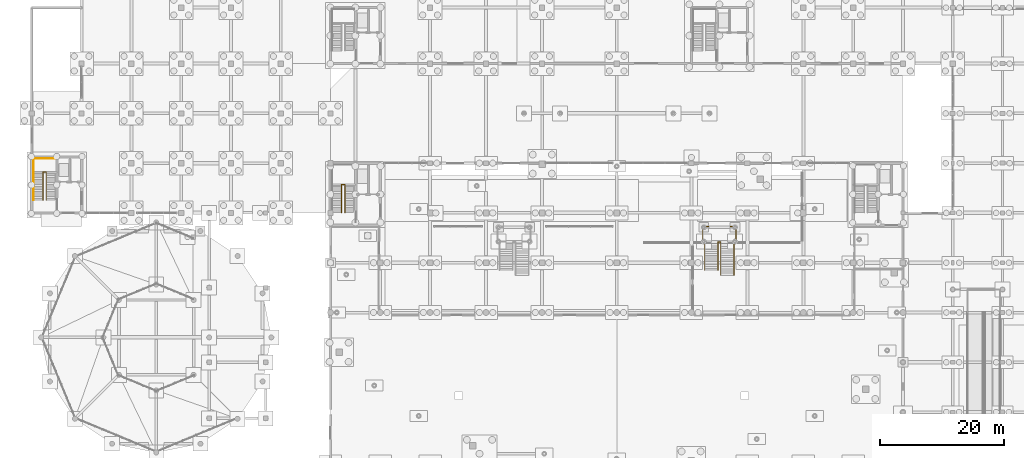
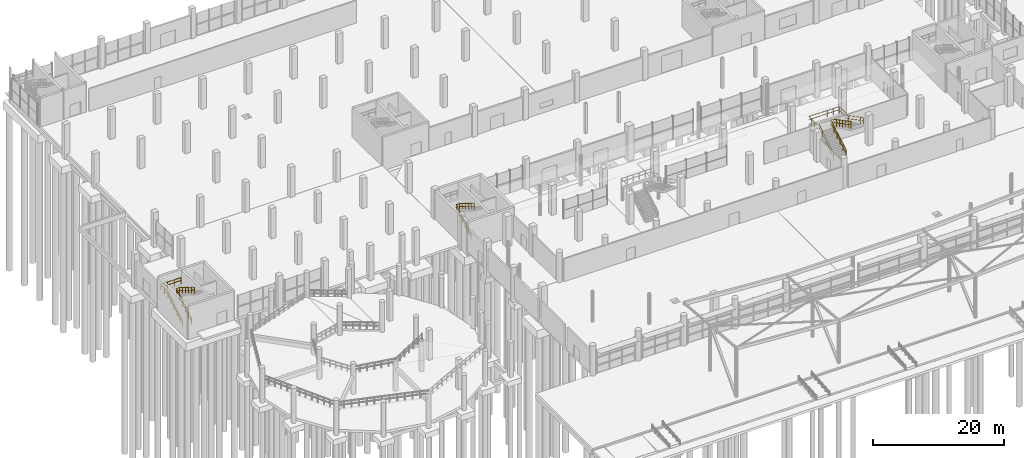
# One storey, part 91 of 98: 5 railings.
"""IFC4 building model written with IfcOpenShell, lengths in metres."""

import ifcopenshell
import ifcopenshell.guid

model = None  # the IFC model being written
_history = None  # IfcOwnerHistory: only IFC2X3 demands one
_inside = {}  # id of a spatial element -> (the spatial element, [elements in it])
_under = {}  # id of a project, library or spatial element -> (it, [spatial elements below it])
_declared = {}  # id of a project -> (the project, [libraries it declares])
_typed = {}  # id of a type object -> (the type object, [elements of that type])
_made_of = {}  # id of a material, layer set ... -> (it, [elements and type objects made of it])


def new_model(schema):
    """Start an empty IFC model of exactly this schema.

    Asked for "IFC4X3", IfcOpenShell would pick the latest addendum, in which some entities
    have other attributes; the version numbers below select the first issue.
    IFC2X3 requires an IfcOwnerHistory on every rooted entity: one is made here for all.
    """
    global model, _history
    if schema == "IFC4X3":
        model = ifcopenshell.file(schema_version=(4, 3, 0, 0))
    else:
        model = ifcopenshell.file(schema=schema)
    _inside.clear()
    _under.clear()
    _declared.clear()
    _typed.clear()
    _made_of.clear()
    _history = None
    if model.schema == "IFC2X3":
        org = make("IfcOrganization", Name="unknown")
        user = make(
            "IfcPersonAndOrganization",
            ThePerson=make("IfcPerson", FamilyName="unknown"),
            TheOrganization=org,
        )
        app = make(
            "IfcApplication",
            ApplicationDeveloper=org,
            Version="unknown",
            ApplicationFullName="unknown",
            ApplicationIdentifier="unknown",
        )
        _history = make(
            "IfcOwnerHistory",
            OwningUser=user,
            OwningApplication=app,
            ChangeAction="ADDED",
            CreationDate=0,
        )
    return model


def make(cls, **values):
    """One entity of the class cls with the attributes given. An attribute that is None is left unset."""
    return model.create_entity(
        cls, **{name: value for name, value in values.items() if value is not None}
    )


def rooted(cls, **values):
    """An entity with a GlobalId (a new one), such as an element, a storey or a relation."""
    return make(cls, GlobalId=ifcopenshell.guid.new(), OwnerHistory=_history, **values)


def si_unit(unit_type, name, prefix=None):
    """IfcSIUnit, for example si_unit("LENGTHUNIT", "METRE", prefix="MILLI")."""
    return make("IfcSIUnit", UnitType=unit_type, Prefix=prefix, Name=name)


def derived_unit(unit_type, elements):
    """IfcDerivedUnit: a product of units, each with its exponent."""
    return make(
        "IfcDerivedUnit",
        Elements=[
            make("IfcDerivedUnitElement", Unit=unit, Exponent=power)
            for unit, power in elements
        ],
        UnitType=unit_type,
    )


def assignment(units):
    """IfcUnitAssignment: the units of a project."""
    return None if units is None else make("IfcUnitAssignment", Units=units)


def point(xyz):
    """IfcCartesianPoint."""
    return None if xyz is None else make("IfcCartesianPoint", Coordinates=xyz)


def direction(xyz):
    """IfcDirection."""
    return None if xyz is None else make("IfcDirection", DirectionRatios=xyz)


def frame(location, z_axis=None, x_axis=None):
    """IfcAxis2Placement3D, a coordinate frame: its origin and axes. An axis left out is left unset."""
    return make(
        "IfcAxis2Placement3D",
        Location=point(location),
        Axis=direction(z_axis),
        RefDirection=direction(x_axis),
    )


def frame_2d(location, x_axis=None):
    """IfcAxis2Placement2D, a coordinate frame in the plane: its origin and x axis."""
    return make(
        "IfcAxis2Placement2D", Location=point(location), RefDirection=direction(x_axis)
    )


def origin():
    """The frame at (0, 0, 0) with its axes left unset."""
    return frame((0.0, 0.0, 0.0))


def origin_2d():
    """The frame at (0, 0) in the plane with its x axis left unset."""
    return frame_2d((0.0, 0.0))


def place(relative_to, where):
    """IfcLocalPlacement: puts the frame where relative to a parent placement (None: the world)."""
    return make(
        "IfcLocalPlacement", PlacementRelTo=relative_to, RelativePlacement=where
    )


def context(
    kind, dimensions, precision=None, world=None, true_north=None, identifier=None
):
    """IfcGeometricRepresentationContext, for example the 3D "Model" context."""
    return make(
        "IfcGeometricRepresentationContext",
        ContextIdentifier=identifier,
        ContextType=kind,
        CoordinateSpaceDimension=dimensions,
        Precision=precision,
        WorldCoordinateSystem=world,
        TrueNorth=true_north,
    )


def subcontext(parent, identifier, kind, view, scale=None):
    """IfcGeometricRepresentationSubContext, for example "Body" below "Model"."""
    return make(
        "IfcGeometricRepresentationSubContext",
        ContextIdentifier=identifier,
        ContextType=kind,
        ParentContext=parent,
        TargetScale=scale,
        TargetView=view,
    )


def project(units=None, contexts=None):
    """IfcProject with its units and contexts."""
    return rooted(
        "IfcProject",
        Name="project",
        RepresentationContexts=contexts,
        UnitsInContext=assignment(units),
    )


def spatial(cls, under=None, at=None, **own):
    """A site, building, storey or space (cls), placed at a placement, below another one or the project."""
    s = rooted(cls, ObjectPlacement=at, **own)
    if under is not None:
        _under.setdefault(under.id(), (under, []))[1].append(s)
    return s


def profile(cls, at=None, kind="AREA", **sizes):
    """A parametric profile (cls). Its sizes go by their IFC names, for example OverallWidth=200.0."""
    return make(cls, ProfileType=kind, Position=at, **sizes)


def circle(**sizes):
    """IfcCircleProfileDef."""
    return profile("IfcCircleProfileDef", **sizes)


def extrude(swept, where, along, depth):
    """IfcExtrudedAreaSolid: the profile swept, set in the frame where, extruded along a direction by depth."""
    return make(
        "IfcExtrudedAreaSolid",
        SweptArea=swept,
        Position=where,
        ExtrudedDirection=direction(along),
        Depth=depth,
    )


def shape(context_of_items, identifier, shape_type, items):
    """IfcShapeRepresentation: the items that make up one representation, for example the "Body"."""
    return make(
        "IfcShapeRepresentation",
        ContextOfItems=context_of_items,
        RepresentationIdentifier=identifier,
        RepresentationType=shape_type,
        Items=items,
    )


def material(Name=None, Category=None):
    """IfcMaterial."""
    return make("IfcMaterial", Name=Name, Category=Category)


def made_of(thing, what):
    """Note that an element or type object is made of a material, layer set ...; save() writes the relation."""
    if what is not None:
        _made_of.setdefault(what.id(), (what, []))[1].append(thing)
    return thing


def type_object(cls, material=None, **own):
    """A type object (cls), such as IfcWallType, which elements share."""
    return made_of(rooted(cls, **own), material)


def element(
    cls,
    number,
    at=None,
    inside=None,
    cuts=None,
    type_object=None,
    material=None,
    context=None,
    identifier="Body",
    shape_type=None,
    held_by="IfcProductDefinitionShape",
    body=None,
    shapes=None,
    **own,
):
    """One element of the class cls, such as IfcWall. Its Tag is "e" and its number.

    at: its placement. inside: the storey or other place that contains it. cuts: it is an
    opening in that element (IfcRelVoidsElement). A single representation is given by context,
    identifier, shape_type and body (its items); several are given by shapes. held_by: the class
    of the entity that holds the representations. save() writes the other relations.
    """
    e = rooted(cls, Tag="e%d" % number, ObjectPlacement=at, **own)
    if body is not None:
        shapes = [shape(context, identifier, shape_type, body)]
    if shapes is not None:
        e.Representation = make(held_by, Representations=shapes)
    if inside is not None:
        _inside.setdefault(inside.id(), (inside, []))[1].append(e)
    if cuts is not None:
        rooted(
            "IfcRelVoidsElement", RelatingBuildingElement=cuts, RelatedOpeningElement=e
        )
    if type_object is not None:
        _typed.setdefault(type_object.id(), (type_object, []))[1].append(e)
    return made_of(e, material)


def aggregate(whole, parts):
    """IfcRelAggregates: a whole, such as a stair, and the parts it consists of."""
    return rooted("IfcRelAggregates", RelatingObject=whole, RelatedObjects=parts)


def save(model, path):
    """Write the relations noted so far, then the file.

    IfcRelAggregates (storeys below a building ...), IfcRelContainedInSpatialStructure (elements
    in a storey), IfcRelDefinesByType, IfcRelAssociatesMaterial and IfcRelDeclares: one each for
    every whole, place, type object, material and project.
    """
    for whole, parts in _under.values():
        aggregate(whole, parts)
    for where, things in _inside.values():
        rooted(
            "IfcRelContainedInSpatialStructure",
            RelatedElements=things,
            RelatingStructure=where,
        )
    for kind, things in _typed.values():
        rooted("IfcRelDefinesByType", RelatedObjects=things, RelatingType=kind)
    for what, things in _made_of.values():
        rooted("IfcRelAssociatesMaterial", RelatedObjects=things, RelatingMaterial=what)
    for by, libraries in _declared.values():
        rooted("IfcRelDeclares", RelatingContext=by, RelatedDefinitions=libraries)
    model.write(path)


model = new_model("IFC4")

# Units and contexts
model_context = context("Model", 3, precision=1e-05, world=origin(), true_north=direction((0.0, 1.0)))
body_context = subcontext(model_context, "Body", "Model", "MODEL_VIEW")
ifc_project = project(units=[si_unit("LENGTHUNIT", "METRE"), si_unit("AREAUNIT", "SQUARE_METRE"), si_unit("VOLUMEUNIT", "CUBIC_METRE"), si_unit("PLANEANGLEUNIT", "RADIAN"), si_unit("MASSUNIT", "GRAM", prefix="KILO"), si_unit("THERMODYNAMICTEMPERATUREUNIT", "KELVIN"), derived_unit("THERMALTRANSMITTANCEUNIT", [(si_unit("POWERUNIT", "WATT"), 1), (si_unit("AREAUNIT", "SQUARE_METRE"), -1), (si_unit("THERMODYNAMICTEMPERATUREUNIT", "KELVIN"), -1)])], contexts=[model_context])

# Site, building, storey
site_placement = place(None, origin())
site = spatial("IfcSite", under=ifc_project, at=site_placement, CompositionType="ELEMENT")
building_placement = place(site_placement, origin())
building = spatial("IfcBuilding", under=site, at=building_placement, Name="Haiyu Intermodal Mobility Hub", CompositionType="ELEMENT")
storey_placement = place(building_placement, origin())
storey = spatial("IfcBuildingStorey", under=building, at=storey_placement, Name="L00", CompositionType="ELEMENT", Elevation=0.0)

# Railings
ifc_material = material(Name="Steel Q355C", Category="steel")
railing_type = type_object("IfcRailingType", Name="RAL-GR03", PredefinedType="GUARDRAIL", material=ifc_material)
railing_1_placement = place(storey_placement, frame((63.780029296875, 80.050048828125, 0.0)))
element("IfcRailing", 1, at=railing_1_placement, inside=storey, type_object=railing_type, Name="Stair Well Guard STR-C1-L00", PredefinedType="GUARDRAIL", context=body_context, shape_type="SweptSolid", body=[
    extrude(circle(Radius=0.02392578125, at=origin_2d()), frame((0.0, 0.025634765625, 1.11181640625), z_axis=(0.0, 0.850622528264, 0.525776867511), x_axis=(-1.0, 0.0, 0.0)), (0.0, 0.0, 1.0), 5.265625),
    extrude(circle(Radius=0.02392578125, at=origin_2d()), frame((0.0, 0.03173828125, 0.57958984375), z_axis=(0.0, 0.850622528264, 0.525776867511), x_axis=(-1.0, 0.0, 0.0)), (0.0, 0.0, 1.0), 0.990478515625),
    extrude(circle(Radius=0.02392578125, at=origin_2d()), frame((0.0, 0.937744140625, 1.1396484375), z_axis=(0.0, 0.850622528264, 0.525776867511), x_axis=(-1.0, 0.0, 0.0)), (0.0, 0.0, 1.0), 0.990478515625),
    extrude(circle(Radius=0.02392578125, at=origin_2d()), frame((0.0, 1.84375, 1.69970703125), z_axis=(0.0, 0.850622528264, 0.525776867511), x_axis=(-1.0, 0.0, 0.0)), (0.0, 0.0, 1.0), 0.990478515625),
    extrude(circle(Radius=0.02392578125, at=origin_2d()), frame((0.0, 2.749755859375, 2.259765625), z_axis=(0.0, 0.850622528264, 0.525776867511), x_axis=(-1.0, 0.0, 0.0)), (0.0, 0.0, 1.0), 0.990478515625),
    extrude(circle(Radius=0.02392578125, at=origin_2d()), frame((0.0, 3.65576171875, 2.81982421875), z_axis=(0.0, 0.850622528264, 0.525776867511), x_axis=(-1.0, 0.0, 0.0)), (0.0, 0.0, 1.0), 0.990478515625),
    extrude(circle(Radius=0.02392578125, at=origin_2d()), frame((0.030029296875, 4.530029296875, 3.89599609375), z_axis=(1.0, 0.0, 0.0), x_axis=(0.0, 1.0, 0.0)), (0.0, 0.0, 1.0), 0.469970703125),
    extrude(circle(Radius=0.02392578125, at=origin_2d()), frame((0.037353515625, 4.530029296875, 3.360107421875), z_axis=(1.0, 0.0, 0.0), x_axis=(0.0, 1.0, 0.0)), (0.0, 0.0, 1.0), 0.455322265625),
    extrude(circle(Radius=0.02392578125, at=origin_2d()), frame((0.530029296875, 4.50439453125, 3.911865234375), z_axis=(0.0, -0.850622528264, 0.525776867511), x_axis=(1.0, 0.0, 0.0)), (0.0, 0.0, 1.0), 5.265625),
    extrude(circle(Radius=0.02392578125, at=origin_2d()), frame((0.530029296875, 4.498291015625, 3.379638671875), z_axis=(0.0, -0.850622528264, 0.525776867511), x_axis=(1.0, 0.0, 0.0)), (0.0, 0.0, 1.0), 0.990478515625),
    extrude(circle(Radius=0.02392578125, at=origin_2d()), frame((0.530029296875, 3.59228515625, 3.939697265625), z_axis=(0.0, -0.850622528264, 0.525776867511), x_axis=(1.0, 0.0, 0.0)), (0.0, 0.0, 1.0), 0.990478515625),
    extrude(circle(Radius=0.02392578125, at=origin_2d()), frame((0.530029296875, 2.686279296875, 4.499755859375), z_axis=(0.0, -0.850622528264, 0.525776867511), x_axis=(1.0, 0.0, 0.0)), (0.0, 0.0, 1.0), 0.990478515625),
    extrude(circle(Radius=0.02392578125, at=origin_2d()), frame((0.530029296875, 1.7802734375, 5.059814453125), z_axis=(0.0, -0.850622528264, 0.525776867511), x_axis=(1.0, 0.0, 0.0)), (0.0, 0.0, 1.0), 0.990478515625),
    extrude(circle(Radius=0.02392578125, at=origin_2d()), frame((0.530029296875, 0.874267578125, 5.619873046875), z_axis=(0.0, -0.850622528264, 0.525776867511), x_axis=(1.0, 0.0, 0.0)), (0.0, 0.0, 1.0), 0.990478515625),
    extrude(circle(Radius=0.02099609375, at=origin_2d()), origin(), (0.0, 0.0, 1.0), 1.06396484375),
    extrude(circle(Radius=0.02099609375, at=origin_2d()), frame((0.0, 0.906005859375, 0.56005859375)), (0.0, 0.0, 1.0), 1.06396484375),
    extrude(circle(Radius=0.02099609375, at=origin_2d()), frame((0.0, 1.81201171875, 1.1201171875)), (0.0, 0.0, 1.0), 1.06396484375),
    extrude(circle(Radius=0.02099609375, at=origin_2d()), frame((0.0, 2.718017578125, 1.679931640625)), (0.0, 0.0, 1.0), 1.06396484375),
    extrude(circle(Radius=0.02099609375, at=origin_2d()), frame((0.0, 3.6240234375, 2.239990234375)), (0.0, 0.0, 1.0), 1.06396484375),
    extrude(circle(Radius=0.02099609375, at=origin_2d()), frame((0.0, 4.530029296875, 2.800048828125)), (0.0, 0.0, 1.0), 1.06396484375),
    extrude(circle(Radius=0.02099609375, at=origin_2d()), frame((0.530029296875, 4.530029296875, 2.800048828125)), (0.0, 0.0, 1.0), 1.06396484375),
    extrude(circle(Radius=0.02099609375, at=origin_2d()), frame((0.530029296875, 3.6240234375, 3.360107421875)), (0.0, 0.0, 1.0), 1.06396484375),
    extrude(circle(Radius=0.02099609375, at=origin_2d()), frame((0.530029296875, 2.718017578125, 3.920166015625)), (0.0, 0.0, 1.0), 1.06396484375),
    extrude(circle(Radius=0.02099609375, at=origin_2d()), frame((0.530029296875, 1.81201171875, 4.47998046875)), (0.0, 0.0, 1.0), 1.06396484375),
    extrude(circle(Radius=0.02099609375, at=origin_2d()), frame((0.530029296875, 0.906005859375, 5.0400390625)), (0.0, 0.0, 1.0), 1.06396484375),
    extrude(circle(Radius=0.02099609375, at=origin_2d()), frame((0.530029296875, 0.0, 5.60009765625)), (0.0, 0.0, 1.0), 1.06396484375),
])
railing_2_placement = place(storey_placement, frame((15.780029296875, 82.050048828125, 0.0)))
element("IfcRailing", 2, at=railing_2_placement, inside=storey, type_object=railing_type, Name="Stair Well Guard STR-C7-L00", PredefinedType="GUARDRAIL", context=body_context, shape_type="SweptSolid", body=[
    extrude(circle(Radius=0.02392578125, at=origin_2d()), frame((0.0, 0.025634765625, 1.11181640625), z_axis=(0.0, 0.850622528264, 0.525776867511), x_axis=(-1.0, 0.0, 0.0)), (0.0, 0.0, 1.0), 5.265625),
    extrude(circle(Radius=0.02392578125, at=origin_2d()), frame((0.0, 0.03173828125, 0.57958984375), z_axis=(0.0, 0.850622528264, 0.525776867511), x_axis=(-1.0, 0.0, 0.0)), (0.0, 0.0, 1.0), 0.990478515625),
    extrude(circle(Radius=0.02392578125, at=origin_2d()), frame((0.0, 0.937744140625, 1.1396484375), z_axis=(0.0, 0.850622528264, 0.525776867511), x_axis=(-1.0, 0.0, 0.0)), (0.0, 0.0, 1.0), 0.990478515625),
    extrude(circle(Radius=0.02392578125, at=origin_2d()), frame((0.0, 1.84375, 1.69970703125), z_axis=(0.0, 0.850622528264, 0.525776867511), x_axis=(-1.0, 0.0, 0.0)), (0.0, 0.0, 1.0), 0.990478515625),
    extrude(circle(Radius=0.02392578125, at=origin_2d()), frame((0.0, 2.749755859375, 2.259765625), z_axis=(0.0, 0.850622528264, 0.525776867511), x_axis=(-1.0, 0.0, 0.0)), (0.0, 0.0, 1.0), 0.990478515625),
    extrude(circle(Radius=0.02392578125, at=origin_2d()), frame((0.0, 3.65576171875, 2.81982421875), z_axis=(0.0, 0.850622528264, 0.525776867511), x_axis=(-1.0, 0.0, 0.0)), (0.0, 0.0, 1.0), 0.990478515625),
    extrude(circle(Radius=0.02392578125, at=origin_2d()), frame((0.030029296875, 4.530029296875, 3.89599609375), z_axis=(1.0, 0.0, 0.0), x_axis=(0.0, 1.0, 0.0)), (0.0, 0.0, 1.0), 0.469970703125),
    extrude(circle(Radius=0.02392578125, at=origin_2d()), frame((0.037353515625, 4.530029296875, 3.360107421875), z_axis=(1.0, 0.0, 0.0), x_axis=(0.0, 1.0, 0.0)), (0.0, 0.0, 1.0), 0.455322265625),
    extrude(circle(Radius=0.02392578125, at=origin_2d()), frame((0.530029296875, 4.50439453125, 3.911865234375), z_axis=(0.0, -0.850622528264, 0.525776867511), x_axis=(1.0, 0.0, 0.0)), (0.0, 0.0, 1.0), 5.265625),
    extrude(circle(Radius=0.02392578125, at=origin_2d()), frame((0.530029296875, 4.498291015625, 3.379638671875), z_axis=(0.0, -0.850622528264, 0.525776867511), x_axis=(1.0, 0.0, 0.0)), (0.0, 0.0, 1.0), 0.990478515625),
    extrude(circle(Radius=0.02392578125, at=origin_2d()), frame((0.530029296875, 3.59228515625, 3.939697265625), z_axis=(0.0, -0.850622528264, 0.525776867511), x_axis=(1.0, 0.0, 0.0)), (0.0, 0.0, 1.0), 0.990478515625),
    extrude(circle(Radius=0.02392578125, at=origin_2d()), frame((0.530029296875, 2.686279296875, 4.499755859375), z_axis=(0.0, -0.850622528264, 0.525776867511), x_axis=(1.0, 0.0, 0.0)), (0.0, 0.0, 1.0), 0.990478515625),
    extrude(circle(Radius=0.02392578125, at=origin_2d()), frame((0.530029296875, 1.7802734375, 5.059814453125), z_axis=(0.0, -0.850622528264, 0.525776867511), x_axis=(1.0, 0.0, 0.0)), (0.0, 0.0, 1.0), 0.990478515625),
    extrude(circle(Radius=0.02392578125, at=origin_2d()), frame((0.530029296875, 0.874267578125, 5.619873046875), z_axis=(0.0, -0.850622528264, 0.525776867511), x_axis=(1.0, 0.0, 0.0)), (0.0, 0.0, 1.0), 0.990478515625),
    extrude(circle(Radius=0.02099609375, at=origin_2d()), origin(), (0.0, 0.0, 1.0), 1.06396484375),
    extrude(circle(Radius=0.02099609375, at=origin_2d()), frame((0.0, 0.906005859375, 0.56005859375)), (0.0, 0.0, 1.0), 1.06396484375),
    extrude(circle(Radius=0.02099609375, at=origin_2d()), frame((0.0, 1.81201171875, 1.1201171875)), (0.0, 0.0, 1.0), 1.06396484375),
    extrude(circle(Radius=0.02099609375, at=origin_2d()), frame((0.0, 2.718017578125, 1.679931640625)), (0.0, 0.0, 1.0), 1.06396484375),
    extrude(circle(Radius=0.02099609375, at=origin_2d()), frame((0.0, 3.6240234375, 2.239990234375)), (0.0, 0.0, 1.0), 1.06396484375),
    extrude(circle(Radius=0.02099609375, at=origin_2d()), frame((0.0, 4.530029296875, 2.800048828125)), (0.0, 0.0, 1.0), 1.06396484375),
    extrude(circle(Radius=0.02099609375, at=origin_2d()), frame((0.530029296875, 4.530029296875, 2.800048828125)), (0.0, 0.0, 1.0), 1.06396484375),
    extrude(circle(Radius=0.02099609375, at=origin_2d()), frame((0.530029296875, 3.6240234375, 3.360107421875)), (0.0, 0.0, 1.0), 1.06396484375),
    extrude(circle(Radius=0.02099609375, at=origin_2d()), frame((0.530029296875, 2.718017578125, 3.920166015625)), (0.0, 0.0, 1.0), 1.06396484375),
    extrude(circle(Radius=0.02099609375, at=origin_2d()), frame((0.530029296875, 1.81201171875, 4.47998046875)), (0.0, 0.0, 1.0), 1.06396484375),
    extrude(circle(Radius=0.02099609375, at=origin_2d()), frame((0.530029296875, 0.906005859375, 5.0400390625)), (0.0, 0.0, 1.0), 1.06396484375),
    extrude(circle(Radius=0.02099609375, at=origin_2d()), frame((0.530029296875, 0.0, 5.60009765625)), (0.0, 0.0, 1.0), 1.06396484375),
])
railing_3_placement = place(storey_placement, frame((14.25, 82.050048828125, 0.0)))
element("IfcRailing", 3, at=railing_3_placement, inside=storey, type_object=railing_type, Name="Stair Outer Guard STR-C7-L00", PredefinedType="GUARDRAIL", context=body_context, shape_type="SweptSolid", body=[
    extrude(circle(Radius=0.02392578125, at=origin_2d()), frame((0.0, 0.025390625, 1.112060546875), z_axis=(0.0, 0.847993111587, 0.530007247782), x_axis=(-1.0, 0.0, 0.0)), (0.0, 0.0, 1.0), 5.22314453125),
    extrude(circle(Radius=0.02392578125, at=origin_2d()), frame((0.0, 0.03173828125, 0.579833984375), z_axis=(0.0, 0.847993111587, 0.530007247782), x_axis=(-1.0, 0.0, 0.0)), (0.0, 0.0, 1.0), 0.98193359375),
    extrude(circle(Radius=0.02392578125, at=origin_2d()), frame((0.0, 0.927734375, 1.139892578125), z_axis=(0.0, 0.847993111587, 0.530007247782), x_axis=(-1.0, 0.0, 0.0)), (0.0, 0.0, 1.0), 0.98193359375),
    extrude(circle(Radius=0.02392578125, at=origin_2d()), frame((0.0, 1.82373046875, 1.699951171875), z_axis=(0.0, 0.847993111587, 0.530007247782), x_axis=(-1.0, 0.0, 0.0)), (0.0, 0.0, 1.0), 0.98193359375),
    extrude(circle(Radius=0.02392578125, at=origin_2d()), frame((0.0, 2.7197265625, 2.259765625), z_axis=(0.0, 0.847993111587, 0.530007247782), x_axis=(-1.0, 0.0, 0.0)), (0.0, 0.0, 1.0), 0.98193359375),
    extrude(circle(Radius=0.02392578125, at=origin_2d()), frame((0.0, 3.61572265625, 2.81982421875), z_axis=(0.0, 0.847993111587, 0.530007247782), x_axis=(-1.0, 0.0, 0.0)), (0.0, 0.0, 1.0), 0.98193359375),
    extrude(circle(Radius=0.02392578125, at=origin_2d()), frame((0.0, 4.510009765625, 3.89599609375), z_axis=(0.0, 1.0, 0.0), x_axis=(-1.0, 0.0, 0.0)), (0.0, 0.0, 1.0), 2.169921875),
    extrude(circle(Radius=0.02392578125, at=origin_2d()), frame((0.0, 4.517333984375, 3.360107421875), z_axis=(0.0, 1.0, 0.0), x_axis=(-1.0, 0.0, 0.0)), (0.0, 0.0, 1.0), 1.040283203125),
    extrude(circle(Radius=0.02392578125, at=origin_2d()), frame((0.0, 5.63232421875, 3.360107421875), z_axis=(0.0, 1.0, 0.0), x_axis=(-1.0, 0.0, 0.0)), (0.0, 0.0, 1.0), 1.040283203125),
    extrude(circle(Radius=0.02392578125, at=origin_2d()), frame((0.030029296875, 6.7099609375, 3.89599609375), z_axis=(1.0, 0.0, 0.0), x_axis=(0.0, 1.0, 0.0)), (0.0, 0.0, 1.0), 3.52001953125),
    extrude(circle(Radius=0.02392578125, at=origin_2d()), frame((0.037353515625, 6.7099609375, 3.360107421875), z_axis=(1.0, 0.0, 0.0), x_axis=(0.0, 1.0, 0.0)), (0.0, 0.0, 1.0), 1.11865234375),
    extrude(circle(Radius=0.02392578125, at=origin_2d()), frame((1.230712890625, 6.7099609375, 3.360107421875), z_axis=(1.0, 0.0, 0.0), x_axis=(0.0, 1.0, 0.0)), (0.0, 0.0, 1.0), 1.11865234375),
    extrude(circle(Radius=0.02392578125, at=origin_2d()), frame((2.424072265625, 6.7099609375, 3.360107421875), z_axis=(1.0, 0.0, 0.0), x_axis=(0.0, 1.0, 0.0)), (0.0, 0.0, 1.0), 1.11865234375),
    extrude(circle(Radius=0.02099609375, at=origin_2d()), origin(), (0.0, 0.0, 1.0), 1.06396484375),
    extrude(circle(Radius=0.02099609375, at=origin_2d()), frame((0.0, 0.89599609375, 0.56005859375)), (0.0, 0.0, 1.0), 1.06396484375),
    extrude(circle(Radius=0.02099609375, at=origin_2d()), frame((0.0, 1.7919921875, 1.1201171875)), (0.0, 0.0, 1.0), 1.06396484375),
    extrude(circle(Radius=0.02099609375, at=origin_2d()), frame((0.0, 2.68798828125, 1.679931640625)), (0.0, 0.0, 1.0), 1.06396484375),
    extrude(circle(Radius=0.02099609375, at=origin_2d()), frame((0.0, 3.583984375, 2.239990234375)), (0.0, 0.0, 1.0), 1.06396484375),
    extrude(circle(Radius=0.02099609375, at=origin_2d()), frame((0.0, 4.47998046875, 2.800048828125)), (0.0, 0.0, 1.0), 1.06396484375),
    extrude(circle(Radius=0.02099609375, at=origin_2d()), frame((0.0, 5.594970703125, 2.800048828125)), (0.0, 0.0, 1.0), 1.06396484375),
    extrude(circle(Radius=0.02099609375, at=origin_2d()), frame((0.0, 6.7099609375, 2.800048828125)), (0.0, 0.0, 1.0), 1.06396484375),
    extrude(circle(Radius=0.02099609375, at=origin_2d()), frame((1.193359375, 6.7099609375, 2.800048828125)), (0.0, 0.0, 1.0), 1.06396484375),
    extrude(circle(Radius=0.02099609375, at=origin_2d()), frame((2.38671875, 6.7099609375, 2.800048828125)), (0.0, 0.0, 1.0), 1.06396484375),
    extrude(circle(Radius=0.02099609375, at=origin_2d()), frame((3.580078125, 6.7099609375, 2.800048828125)), (0.0, 0.0, 1.0), 1.06396484375),
])
railing_4_placement = place(storey_placement, frame((122.139892578125, 70.800048828125, 0.0)))
element("IfcRailing", 4, at=railing_4_placement, inside=storey, type_object=railing_type, Name="Concourse Stair 02 Outer & Half-Landing Guard", PredefinedType="GUARDRAIL", context=body_context, shape_type="SweptSolid", body=[
    extrude(circle(Radius=0.02392578125, at=origin_2d()), frame((0.0, 0.025390625, 1.23193359375), z_axis=(0.0, 0.845843487117, 0.533431153291), x_axis=(-1.0, 0.0, 0.0)), (0.0, 0.0, 1.0), 5.189208984375),
    extrude(circle(Radius=0.02392578125, at=origin_2d()), frame((0.0, 0.031494140625, 0.639892578125), z_axis=(0.0, 0.845843487117, 0.533431153291), x_axis=(-1.0, 0.0, 0.0)), (0.0, 0.0, 1.0), 0.975341796875),
    extrude(circle(Radius=0.02392578125, at=origin_2d()), frame((0.0, 0.91943359375, 1.199951171875), z_axis=(0.0, 0.845843487117, 0.533431153291), x_axis=(-1.0, 0.0, 0.0)), (0.0, 0.0, 1.0), 0.975341796875),
    extrude(circle(Radius=0.02392578125, at=origin_2d()), frame((0.0, 1.8076171875, 1.760009765625), z_axis=(0.0, 0.845843487117, 0.533431153291), x_axis=(-1.0, 0.0, 0.0)), (0.0, 0.0, 1.0), 0.975341796875),
    extrude(circle(Radius=0.02392578125, at=origin_2d()), frame((0.0, 2.695556640625, 2.31982421875), z_axis=(0.0, 0.845843487117, 0.533431153291), x_axis=(-1.0, 0.0, 0.0)), (0.0, 0.0, 1.0), 0.975341796875),
    extrude(circle(Radius=0.02392578125, at=origin_2d()), frame((0.0, 3.58349609375, 2.8798828125), z_axis=(0.0, 0.845843487117, 0.533431153291), x_axis=(-1.0, 0.0, 0.0)), (0.0, 0.0, 1.0), 0.975341796875),
    extrude(circle(Radius=0.02392578125, at=origin_2d()), frame((-0.030029296875, 4.43994140625, 4.01611328125), z_axis=(-1.0, 0.0, 0.0), x_axis=(0.0, -1.0, 0.0)), (0.0, 0.0, 1.0), 0.23974609375),
    extrude(circle(Radius=0.02392578125, at=origin_2d()), frame((-0.037353515625, 4.43994140625, 3.419921875), z_axis=(-1.0, 0.0, 0.0), x_axis=(0.0, -1.0, 0.0)), (0.0, 0.0, 1.0), 0.22509765625),
    extrude(circle(Radius=0.02392578125, at=origin_2d()), frame((-0.2998046875, 4.469970703125, 4.01611328125), z_axis=(0.0, 1.0, 0.0), x_axis=(-1.0, 0.0, 0.0)), (0.0, 0.0, 1.0), 2.5400390625),
    extrude(circle(Radius=0.02392578125, at=origin_2d()), frame((-0.2998046875, 4.477294921875, 3.419921875), z_axis=(0.0, 1.0, 0.0), x_axis=(-1.0, 0.0, 0.0)), (0.0, 0.0, 1.0), 0.7919921875),
    extrude(circle(Radius=0.02392578125, at=origin_2d()), frame((-0.2998046875, 5.343994140625, 3.419921875), z_axis=(0.0, 1.0, 0.0), x_axis=(-1.0, 0.0, 0.0)), (0.0, 0.0, 1.0), 0.7919921875),
    extrude(circle(Radius=0.02392578125, at=origin_2d()), frame((-0.2998046875, 6.210693359375, 3.419921875), z_axis=(0.0, 1.0, 0.0), x_axis=(-1.0, 0.0, 0.0)), (0.0, 0.0, 1.0), 0.7919921875),
    extrude(circle(Radius=0.02392578125, at=origin_2d()), frame((-0.269775390625, 7.0400390625, 4.01611328125), z_axis=(1.0, 0.0, 0.0), x_axis=(0.0, 1.0, 0.0)), (0.0, 0.0, 1.0), 5.259765625),
    extrude(circle(Radius=0.02392578125, at=origin_2d()), frame((-0.262451171875, 7.0400390625, 3.419921875), z_axis=(1.0, 0.0, 0.0), x_axis=(0.0, 1.0, 0.0)), (0.0, 0.0, 1.0), 0.9892578125),
    extrude(circle(Radius=0.02392578125, at=origin_2d()), frame((0.801513671875, 7.0400390625, 3.419921875), z_axis=(1.0, 0.0, 0.0), x_axis=(0.0, 1.0, 0.0)), (0.0, 0.0, 1.0), 0.9892578125),
    extrude(circle(Radius=0.02392578125, at=origin_2d()), frame((1.865478515625, 7.0400390625, 3.419921875), z_axis=(1.0, 0.0, 0.0), x_axis=(0.0, 1.0, 0.0)), (0.0, 0.0, 1.0), 0.9892578125),
    extrude(circle(Radius=0.02392578125, at=origin_2d()), frame((2.929443359375, 7.0400390625, 3.419921875), z_axis=(1.0, 0.0, 0.0), x_axis=(0.0, 1.0, 0.0)), (0.0, 0.0, 1.0), 0.9892578125),
    extrude(circle(Radius=0.02392578125, at=origin_2d()), frame((3.993408203125, 7.0400390625, 3.419921875), z_axis=(1.0, 0.0, 0.0), x_axis=(0.0, 1.0, 0.0)), (0.0, 0.0, 1.0), 0.9892578125),
    extrude(circle(Radius=0.02392578125, at=origin_2d()), frame((5.02001953125, 7.010009765625, 4.01611328125), z_axis=(0.0, -1.0, 0.0), x_axis=(1.0, 0.0, 0.0)), (0.0, 0.0, 1.0), 2.5400390625),
    extrude(circle(Radius=0.02392578125, at=origin_2d()), frame((5.02001953125, 7.002685546875, 3.419921875), z_axis=(0.0, -1.0, 0.0), x_axis=(1.0, 0.0, 0.0)), (0.0, 0.0, 1.0), 0.7919921875),
    extrude(circle(Radius=0.02392578125, at=origin_2d()), frame((5.02001953125, 6.135986328125, 3.419921875), z_axis=(0.0, -1.0, 0.0), x_axis=(1.0, 0.0, 0.0)), (0.0, 0.0, 1.0), 0.7919921875),
    extrude(circle(Radius=0.02392578125, at=origin_2d()), frame((5.02001953125, 5.269287109375, 3.419921875), z_axis=(0.0, -1.0, 0.0), x_axis=(1.0, 0.0, 0.0)), (0.0, 0.0, 1.0), 0.7919921875),
    extrude(circle(Radius=0.02392578125, at=origin_2d()), frame((4.991943359375, 4.4501953125, 4.01611328125), z_axis=(-0.938695003557, 0.34474873502, 0.0), x_axis=(-0.34474873502, -0.938695003557, 0.0)), (0.0, 0.0, 1.0), 0.25927734375),
    extrude(circle(Radius=0.02392578125, at=origin_2d()), frame((4.985107421875, 4.452880859375, 3.419921875), z_axis=(-0.938695003557, 0.34474873502, 0.0), x_axis=(-0.34474873502, -0.938695003557, 0.0)), (0.0, 0.0, 1.0), 0.244873046875),
    extrude(circle(Radius=0.02392578125, at=origin_2d()), frame((4.72021484375, 4.5234375, 4.02978515625), z_axis=(0.0, -0.885993706674, 0.463697263021), x_axis=(1.0, 0.0, 0.0)), (0.0, 0.0, 1.0), 5.978515625),
    extrude(circle(Radius=0.02392578125, at=origin_2d()), frame((4.72021484375, 4.51708984375, 3.437255859375), z_axis=(0.0, -0.885993706674, 0.463697263021), x_axis=(1.0, 0.0, 0.0)), (0.0, 0.0, 1.0), 0.931884765625),
    extrude(circle(Radius=0.02392578125, at=origin_2d()), frame((4.72021484375, 3.625244140625, 3.904052734375), z_axis=(0.0, -0.885993706674, 0.463697263021), x_axis=(1.0, 0.0, 0.0)), (0.0, 0.0, 1.0), 0.931884765625),
    extrude(circle(Radius=0.02392578125, at=origin_2d()), frame((4.72021484375, 2.733642578125, 4.37060546875), z_axis=(0.0, -0.885993706674, 0.463697263021), x_axis=(1.0, 0.0, 0.0)), (0.0, 0.0, 1.0), 0.931884765625),
    extrude(circle(Radius=0.02392578125, at=origin_2d()), frame((4.72021484375, 1.842041015625, 4.83740234375), z_axis=(0.0, -0.885993706674, 0.463697263021), x_axis=(1.0, 0.0, 0.0)), (0.0, 0.0, 1.0), 0.931884765625),
    extrude(circle(Radius=0.02392578125, at=origin_2d()), frame((4.72021484375, 0.9501953125, 5.303955078125), z_axis=(0.0, -0.885993706674, 0.463697263021), x_axis=(1.0, 0.0, 0.0)), (0.0, 0.0, 1.0), 0.931884765625),
    extrude(circle(Radius=0.02392578125, at=origin_2d()), frame((4.72021484375, 0.05859375, 5.770751953125), z_axis=(0.0, -0.885993706674, 0.463697263021), x_axis=(1.0, 0.0, 0.0)), (0.0, 0.0, 1.0), 0.931884765625),
    extrude(circle(Radius=0.02099609375, at=origin_2d()), origin(), (0.0, 0.0, 1.0), 1.183837890625),
    extrude(circle(Radius=0.02099609375, at=origin_2d()), frame((0.0, 0.887939453125, 0.56005859375)), (0.0, 0.0, 1.0), 1.183837890625),
    extrude(circle(Radius=0.02099609375, at=origin_2d()), frame((0.0, 1.77587890625, 1.1201171875)), (0.0, 0.0, 1.0), 1.183837890625),
    extrude(circle(Radius=0.02099609375, at=origin_2d()), frame((0.0, 2.6640625, 1.679931640625)), (0.0, 0.0, 1.0), 1.183837890625),
    extrude(circle(Radius=0.02099609375, at=origin_2d()), frame((0.0, 3.552001953125, 2.239990234375)), (0.0, 0.0, 1.0), 1.183837890625),
    extrude(circle(Radius=0.02099609375, at=origin_2d()), frame((0.0, 4.43994140625, 2.800048828125)), (0.0, 0.0, 1.0), 1.183837890625),
    extrude(circle(Radius=0.02099609375, at=origin_2d()), frame((-0.2998046875, 4.43994140625, 2.800048828125)), (0.0, 0.0, 1.0), 1.183837890625),
    extrude(circle(Radius=0.02099609375, at=origin_2d()), frame((-0.2998046875, 5.306640625, 2.800048828125)), (0.0, 0.0, 1.0), 1.183837890625),
    extrude(circle(Radius=0.02099609375, at=origin_2d()), frame((-0.2998046875, 6.17333984375, 2.800048828125)), (0.0, 0.0, 1.0), 1.183837890625),
    extrude(circle(Radius=0.02099609375, at=origin_2d()), frame((-0.2998046875, 7.0400390625, 2.800048828125)), (0.0, 0.0, 1.0), 1.183837890625),
    extrude(circle(Radius=0.02099609375, at=origin_2d()), frame((0.76416015625, 7.0400390625, 2.800048828125)), (0.0, 0.0, 1.0), 1.183837890625),
    extrude(circle(Radius=0.02099609375, at=origin_2d()), frame((1.828125, 7.0400390625, 2.800048828125)), (0.0, 0.0, 1.0), 1.183837890625),
    extrude(circle(Radius=0.02099609375, at=origin_2d()), frame((2.89208984375, 7.0400390625, 2.800048828125)), (0.0, 0.0, 1.0), 1.183837890625),
    extrude(circle(Radius=0.02099609375, at=origin_2d()), frame((3.9560546875, 7.0400390625, 2.800048828125)), (0.0, 0.0, 1.0), 1.183837890625),
    extrude(circle(Radius=0.02099609375, at=origin_2d()), frame((5.02001953125, 7.0400390625, 2.800048828125)), (0.0, 0.0, 1.0), 1.183837890625),
    extrude(circle(Radius=0.02099609375, at=origin_2d()), frame((5.02001953125, 6.17333984375, 2.800048828125)), (0.0, 0.0, 1.0), 1.183837890625),
    extrude(circle(Radius=0.02099609375, at=origin_2d()), frame((5.02001953125, 5.306640625, 2.800048828125)), (0.0, 0.0, 1.0), 1.183837890625),
    extrude(circle(Radius=0.02099609375, at=origin_2d()), frame((5.02001953125, 4.43994140625, 2.800048828125)), (0.0, 0.0, 1.0), 1.183837890625),
    extrude(circle(Radius=0.02099609375, at=origin_2d()), frame((4.72021484375, 4.550048828125, 2.800048828125)), (0.0, 0.0, 1.0), 1.183837890625),
    extrude(circle(Radius=0.02099609375, at=origin_2d()), frame((4.72021484375, 3.658447265625, 3.2666015625)), (0.0, 0.0, 1.0), 1.183837890625),
    extrude(circle(Radius=0.02099609375, at=origin_2d()), frame((4.72021484375, 2.7666015625, 3.7333984375)), (0.0, 0.0, 1.0), 1.183837890625),
    extrude(circle(Radius=0.02099609375, at=origin_2d()), frame((4.72021484375, 1.875, 4.2001953125)), (0.0, 0.0, 1.0), 1.183837890625),
    extrude(circle(Radius=0.02099609375, at=origin_2d()), frame((4.72021484375, 0.9833984375, 4.666748046875)), (0.0, 0.0, 1.0), 1.183837890625),
    extrude(circle(Radius=0.02099609375, at=origin_2d()), frame((4.72021484375, 0.091552734375, 5.13330078125)), (0.0, 0.0, 1.0), 1.183837890625),
    extrude(circle(Radius=0.02099609375, at=origin_2d()), frame((4.72021484375, -0.800048828125, 5.60009765625)), (0.0, 0.0, 1.0), 1.183837890625),
])
railing_5_placement = place(storey_placement, frame((124.280029296875, 70.800048828125, 0.0)))
element("IfcRailing", 5, at=railing_5_placement, inside=storey, type_object=railing_type, Name="Concourse Stair 02 Center Well Guard", PredefinedType="GUARDRAIL", context=body_context, shape_type="SweptSolid", body=[
    extrude(circle(Radius=0.02392578125, at=origin_2d()), frame((0.0, 0.025390625, 1.231689453125), z_axis=(0.0, 0.850101687439, 0.526618572606), x_axis=(-1.0, 0.0, 0.0)), (0.0, 0.0, 1.0), 5.257080078125),
    extrude(circle(Radius=0.02392578125, at=origin_2d()), frame((0.0, 0.03173828125, 0.6396484375), z_axis=(0.0, 0.850101687439, 0.526618572606), x_axis=(-1.0, 0.0, 0.0)), (0.0, 0.0, 1.0), 0.98876953125),
    extrude(circle(Radius=0.02392578125, at=origin_2d()), frame((0.0, 0.935791015625, 1.19970703125), z_axis=(0.0, 0.850101687439, 0.526618572606), x_axis=(-1.0, 0.0, 0.0)), (0.0, 0.0, 1.0), 0.98876953125),
    extrude(circle(Radius=0.02392578125, at=origin_2d()), frame((0.0, 1.839599609375, 1.759765625), z_axis=(0.0, 0.850101687439, 0.526618572606), x_axis=(-1.0, 0.0, 0.0)), (0.0, 0.0, 1.0), 0.98876953125),
    extrude(circle(Radius=0.02392578125, at=origin_2d()), frame((0.0, 2.74365234375, 2.319580078125), z_axis=(0.0, 0.850101687439, 0.526618572606), x_axis=(-1.0, 0.0, 0.0)), (0.0, 0.0, 1.0), 0.98876953125),
    extrude(circle(Radius=0.02392578125, at=origin_2d()), frame((0.0, 3.647705078125, 2.879638671875), z_axis=(0.0, 0.850101687439, 0.526618572606), x_axis=(-1.0, 0.0, 0.0)), (0.0, 0.0, 1.0), 0.98876953125),
    extrude(circle(Radius=0.02392578125, at=origin_2d()), frame((0.030029296875, 4.52001953125, 4.01611328125), z_axis=(1.0, 0.0, 0.0), x_axis=(0.0, 1.0, 0.0)), (0.0, 0.0, 1.0), 0.3798828125),
    extrude(circle(Radius=0.02392578125, at=origin_2d()), frame((0.037353515625, 4.52001953125, 3.419921875), z_axis=(1.0, 0.0, 0.0), x_axis=(0.0, 1.0, 0.0)), (0.0, 0.0, 1.0), 0.365234375),
    extrude(circle(Radius=0.02392578125, at=origin_2d()), frame((0.43994140625, 4.493408203125, 4.030029296875), z_axis=(0.0, -0.884917341484, 0.465748106534), x_axis=(1.0, 0.0, 0.0)), (0.0, 0.0, 1.0), 5.951904296875),
    extrude(circle(Radius=0.02392578125, at=origin_2d()), frame((0.43994140625, 4.487060546875, 3.4375), z_axis=(0.0, -0.884917341484, 0.465748106534), x_axis=(1.0, 0.0, 0.0)), (0.0, 0.0, 1.0), 0.927490234375),
    extrude(circle(Radius=0.02392578125, at=origin_2d()), frame((0.43994140625, 3.600341796875, 3.904052734375), z_axis=(0.0, -0.884917341484, 0.465748106534), x_axis=(1.0, 0.0, 0.0)), (0.0, 0.0, 1.0), 0.927490234375),
    extrude(circle(Radius=0.02392578125, at=origin_2d()), frame((0.43994140625, 2.713623046875, 4.370849609375), z_axis=(0.0, -0.884917341484, 0.465748106534), x_axis=(1.0, 0.0, 0.0)), (0.0, 0.0, 1.0), 0.927490234375),
    extrude(circle(Radius=0.02392578125, at=origin_2d()), frame((0.43994140625, 1.826904296875, 4.83740234375), z_axis=(0.0, -0.884917341484, 0.465748106534), x_axis=(1.0, 0.0, 0.0)), (0.0, 0.0, 1.0), 0.927490234375),
    extrude(circle(Radius=0.02392578125, at=origin_2d()), frame((0.43994140625, 0.940185546875, 5.30419921875), z_axis=(0.0, -0.884917341484, 0.465748106534), x_axis=(1.0, 0.0, 0.0)), (0.0, 0.0, 1.0), 0.927490234375),
    extrude(circle(Radius=0.02392578125, at=origin_2d()), frame((0.43994140625, 0.0537109375, 5.770751953125), z_axis=(0.0, -0.884917341484, 0.465748106534), x_axis=(1.0, 0.0, 0.0)), (0.0, 0.0, 1.0), 0.927490234375),
    extrude(circle(Radius=0.02099609375, at=origin_2d()), origin(), (0.0, 0.0, 1.0), 1.183837890625),
    extrude(circle(Radius=0.02099609375, at=origin_2d()), frame((0.0, 0.904052734375, 0.56005859375)), (0.0, 0.0, 1.0), 1.183837890625),
    extrude(circle(Radius=0.02099609375, at=origin_2d()), frame((0.0, 1.80810546875, 1.1201171875)), (0.0, 0.0, 1.0), 1.183837890625),
    extrude(circle(Radius=0.02099609375, at=origin_2d()), frame((0.0, 2.7119140625, 1.679931640625)), (0.0, 0.0, 1.0), 1.183837890625),
    extrude(circle(Radius=0.02099609375, at=origin_2d()), frame((0.0, 3.615966796875, 2.239990234375)), (0.0, 0.0, 1.0), 1.183837890625),
    extrude(circle(Radius=0.02099609375, at=origin_2d()), frame((0.0, 4.52001953125, 2.800048828125)), (0.0, 0.0, 1.0), 1.183837890625),
    extrude(circle(Radius=0.02099609375, at=origin_2d()), frame((0.43994140625, 4.52001953125, 2.800048828125)), (0.0, 0.0, 1.0), 1.183837890625),
    extrude(circle(Radius=0.02099609375, at=origin_2d()), frame((0.43994140625, 3.63330078125, 3.2666015625)), (0.0, 0.0, 1.0), 1.183837890625),
    extrude(circle(Radius=0.02099609375, at=origin_2d()), frame((0.43994140625, 2.74658203125, 3.7333984375)), (0.0, 0.0, 1.0), 1.183837890625),
    extrude(circle(Radius=0.02099609375, at=origin_2d()), frame((0.43994140625, 1.85986328125, 4.2001953125)), (0.0, 0.0, 1.0), 1.183837890625),
    extrude(circle(Radius=0.02099609375, at=origin_2d()), frame((0.43994140625, 0.973388671875, 4.666748046875)), (0.0, 0.0, 1.0), 1.183837890625),
    extrude(circle(Radius=0.02099609375, at=origin_2d()), frame((0.43994140625, 0.086669921875, 5.13330078125)), (0.0, 0.0, 1.0), 1.183837890625),
    extrude(circle(Radius=0.02099609375, at=origin_2d()), frame((0.43994140625, -0.800048828125, 5.60009765625)), (0.0, 0.0, 1.0), 1.183837890625),
])

save(model, "model.ifc")
